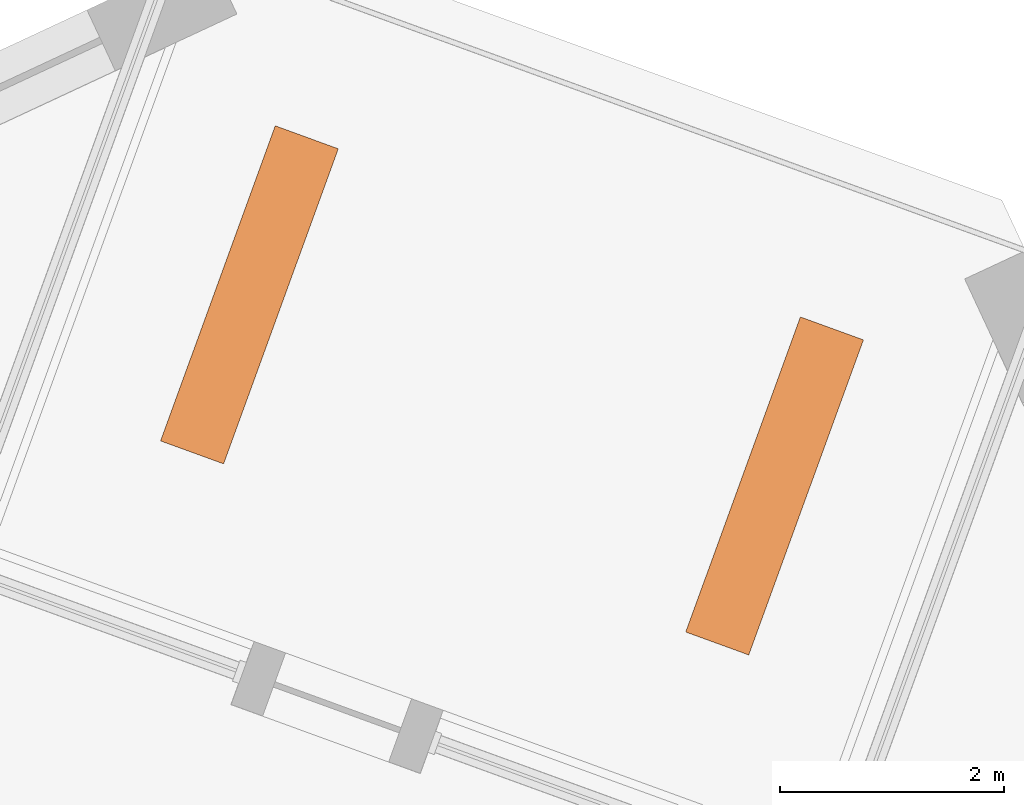
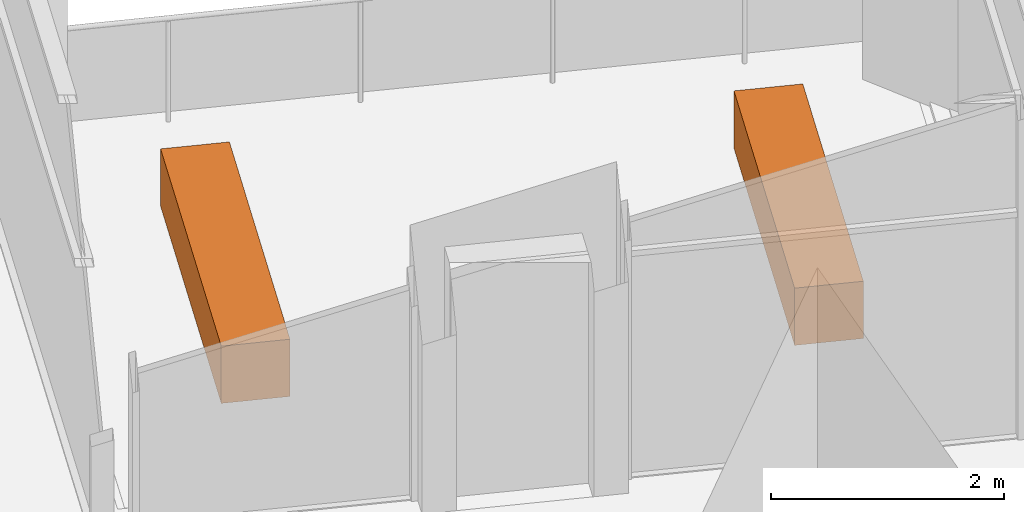
# One storey, part 12 of 12: 2 proxies.
"""IFC4 building model written with IfcOpenShell, lengths in metres."""

from ifc_helpers import new_model, si_unit, direction, frame, origin, origin_2d, place, context, subcontext, project, spatial, rectangle, extrude, element, save


model = new_model("IFC4")

# Units and contexts
model_context = context("Model", 3, precision=1e-05, world=origin(), true_north=direction((0.0, 1.0)))
body_context = subcontext(model_context, "Body", "Model", "MODEL_VIEW")
ifc_project = project(units=[si_unit("LENGTHUNIT", "METRE"), si_unit("AREAUNIT", "SQUARE_METRE"), si_unit("VOLUMEUNIT", "CUBIC_METRE"), si_unit("PLANEANGLEUNIT", "RADIAN"), si_unit("MASSUNIT", "GRAM", prefix="KILO")], contexts=[model_context])

# Site, building, storey
site_placement = place(None, origin())
site = spatial("IfcSite", under=ifc_project, at=site_placement, CompositionType="ELEMENT")
building_placement = place(site_placement, origin())
building = spatial("IfcBuilding", under=site, at=building_placement, Name="Dilmun Exchange Tower", CompositionType="ELEMENT")
storey_placement = place(building_placement, frame((0.0, 0.0, 126.10009765625)))
storey = spatial("IfcBuildingStorey", under=building, at=storey_placement, Name="L29", CompositionType="ELEMENT", Elevation=126.10009765625)

# Proxies
for number, where, z_axis, x_axis, name in (
    (1, (15.435791015625, 30.96484375, -0.000244140625), (0.0, 0.0, 1.0), (0.342020143326, 0.939692620786, 0.0), "PLANTER Ghaf tree L29.1"),
    (2, (10.7373046875, 32.6748046875, -0.000244140625), (0.0, 0.0, 1.0), (0.342020143326, 0.939692620786, 0.0), "PLANTER Ghaf tree L29.2"),
):
    element("IfcBuildingElementProxy", number, at=place(storey_placement, frame(where, z_axis=z_axis, x_axis=x_axis)), inside=storey, Name=name, ObjectType="PLANTER", PredefinedType="USERDEFINED", context=body_context, shape_type="SweptSolid", body=[
        extrude(rectangle(XDim=3.0, YDim=0.60009765625, at=origin_2d()), origin(), (0.0, 0.0, 1.0), 0.60009765625),
    ])

save(model, "model.ifc")
